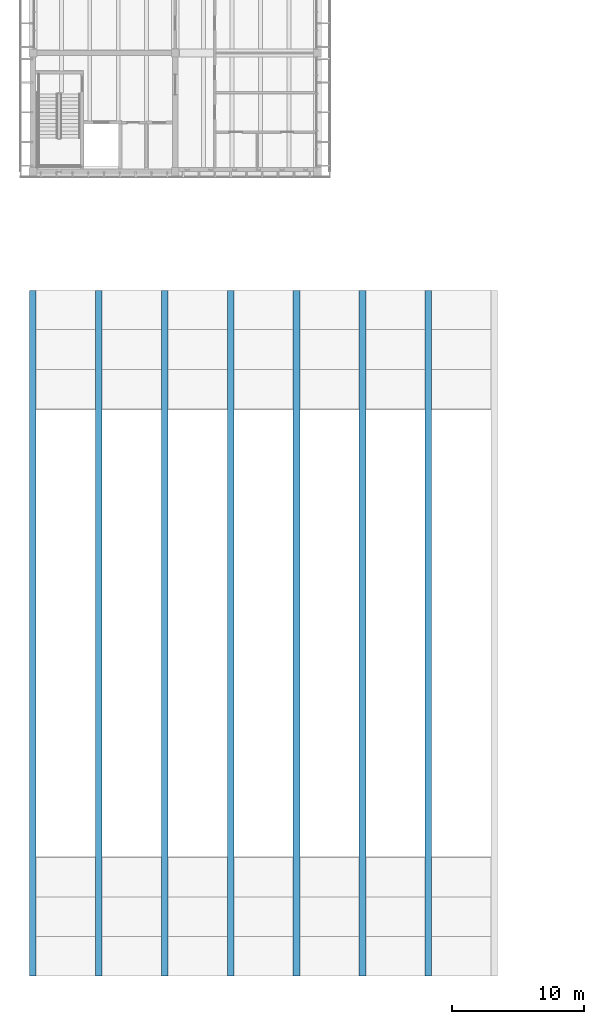
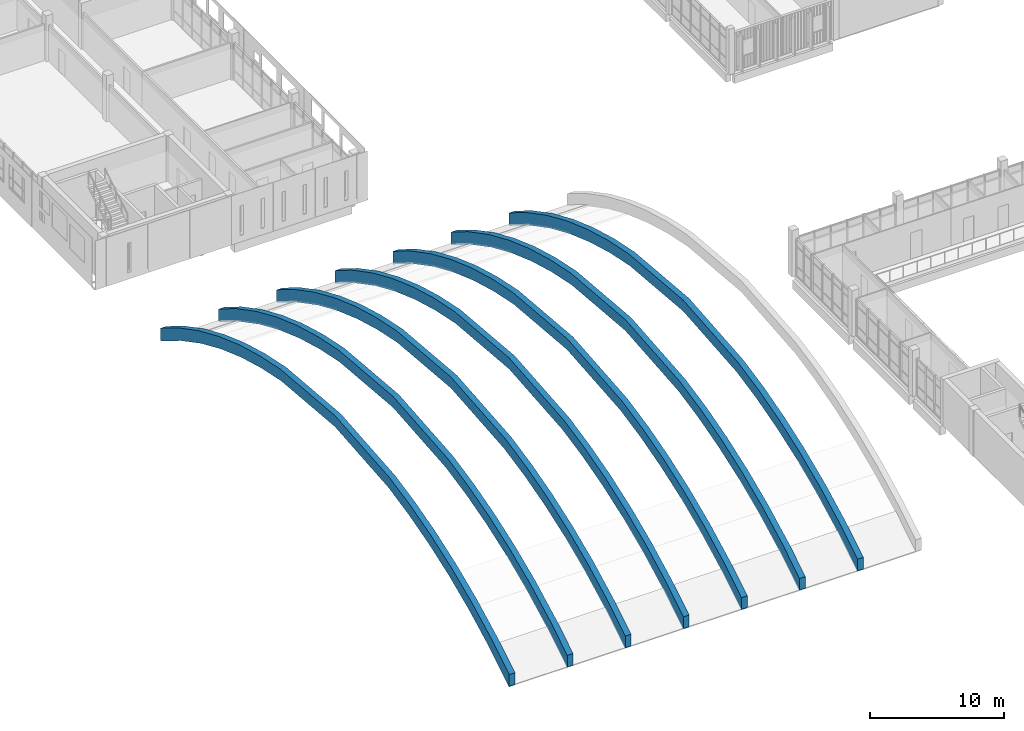
# One storey, part 3 of 88: 7 beams.
"""IFC4 building model written with IfcOpenShell, lengths in metres."""

from ifc_helpers import new_model, si_unit, direction, frame, origin, place, context, subcontext, project, spatial, polyline, outline, extrude, material, type_object, element, save


model = new_model("IFC4")

# Units and contexts
model_context = context("Model", 3, precision=1e-05, world=origin(), true_north=direction((0.0, 1.0)))
body_context = subcontext(model_context, "Body", "Model", "MODEL_VIEW")
ifc_project = project(units=[si_unit("LENGTHUNIT", "METRE"), si_unit("AREAUNIT", "SQUARE_METRE"), si_unit("VOLUMEUNIT", "CUBIC_METRE"), si_unit("PLANEANGLEUNIT", "RADIAN"), si_unit("MASSUNIT", "GRAM", prefix="KILO")], contexts=[model_context])

# Site, building, storey
site_placement = place(None, origin())
site = spatial("IfcSite", under=ifc_project, at=site_placement, CompositionType="ELEMENT")
building_placement = place(site_placement, origin())
building = spatial("IfcBuilding", under=site, at=building_placement, Name="Merrow Basin Faculty of Sciences", CompositionType="ELEMENT")
storey_placement = place(building_placement, frame((0.0, 0.0, 9.0)))
storey = spatial("IfcBuildingStorey", under=building, at=storey_placement, Name="L02", CompositionType="ELEMENT", Elevation=9.0)

# Beams
ifc_material = material(Name="Concrete C50/60", Category="concrete")
beam_type = type_object("IfcBeamType", Name="Arch rib 500 Concrete C50/60", PredefinedType="BEAM", material=ifc_material)
for number, where, z_axis, x_axis, name in (
    (1, (-0.25, 0.0, -9.0), (1.0, 0.0, 0.0), (0.0, 1.0, 0.0), "Arch rib A"),
    (2, (4.75, 0.0, -9.0), (1.0, 0.0, 0.0), (0.0, 1.0, 0.0), "Arch rib K"),
    (3, (9.75, 0.0, -9.0), (1.0, 0.0, 0.0), (0.0, 1.0, 0.0), "Arch rib L"),
    (4, (14.75, 0.0, -9.0), (1.0, 0.0, 0.0), (0.0, 1.0, 0.0), "Arch rib M"),
    (5, (19.75, 0.0, -9.0), (1.0, 0.0, 0.0), (0.0, 1.0, 0.0), "Arch rib N"),
    (6, (24.75, 0.0, -9.0), (1.0, 0.0, 0.0), (0.0, 1.0, 0.0), "Arch rib P"),
    (7, (29.75, 0.0, -9.0), (1.0, 0.0, 0.0), (0.0, 1.0, 0.0), "Arch rib Q"),
):
    element("IfcBeam", number, at=place(storey_placement, frame(where, z_axis=z_axis, x_axis=x_axis)), inside=storey, type_object=beam_type, Name=name, PredefinedType="BEAM", context=body_context, shape_type="SweptSolid", body=[
        extrude(outline(polyline([(2.552978515625, 11.77587890625), (5.611083984375, 13.376953125), (8.669921875, 14.70703125), (11.72802734375, 15.7919921875), (14.785888671875, 16.64794921875), (17.867919921875, 17.29296875), (26.0, 18.0), (34.132080078125, 17.29296875), (37.214111328125, 16.64794921875), (40.27197265625, 15.7919921875), (43.330078125, 14.70703125), (46.388916015625, 13.376953125), (49.447021484375, 11.77587890625), (52.0, 10.18701171875), (52.0, 9.126953125), (51.947021484375, 9.0419921875), (48.949951171875, 10.907958984375), (45.95703125, 12.47412109375), (42.962890625, 13.777099609375), (39.969970703125, 14.837890625), (36.97607421875, 15.676025390625), (33.985107421875, 16.302001953125), (26.0, 16.99609375), (18.014892578125, 16.302001953125), (15.02392578125, 15.676025390625), (12.030029296875, 14.837890625), (9.037109375, 13.777099609375), (6.04296875, 12.47412109375), (3.050048828125, 10.907958984375), (0.052978515625, 9.0419921875), (0.0, 9.126953125), (0.0, 10.18701171875), (2.552978515625, 11.77587890625)])), origin(), (0.0, 0.0, 1.0), 0.5),
    ])

save(model, "model.ifc")
